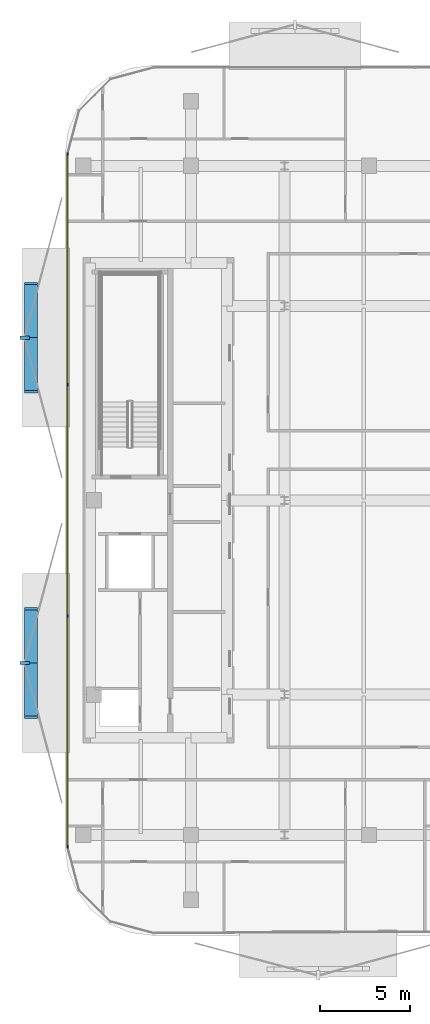
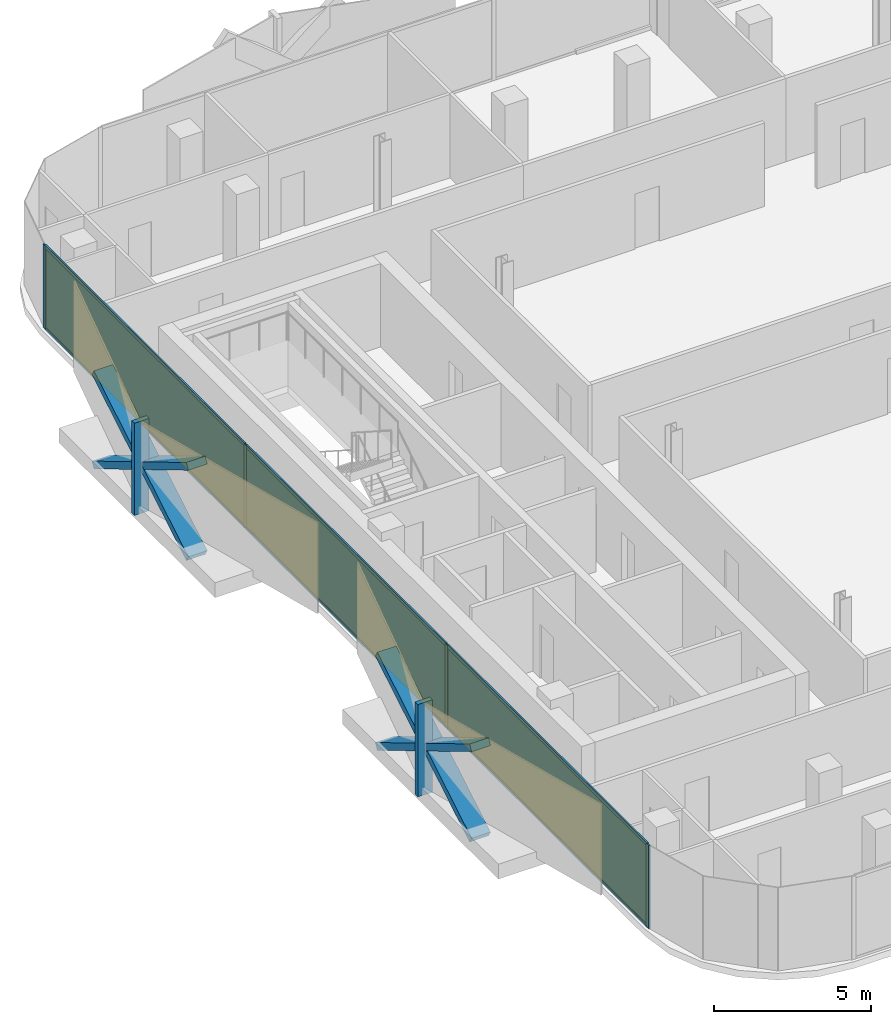
# One storey, part 8 of 15: 16 members, 3 plates, 1 curtain wall.
"""IFC4 building model written with IfcOpenShell, lengths in metres."""

from ifc_helpers import new_model, si_unit, direction, frame, frame_2d, origin, origin_2d, place, context, subcontext, project, spatial, rectangle, extrude, material, layer, layer_set, material_profile, profile_set, type_object, element, aggregate, save


model = new_model("IFC4")

# Units and contexts
model_context = context("Model", 3, precision=1e-05, world=origin(), true_north=direction((0.0, 1.0)))
body_context = subcontext(model_context, "Body", "Model", "MODEL_VIEW")
ifc_project = project(units=[si_unit("LENGTHUNIT", "METRE"), si_unit("AREAUNIT", "SQUARE_METRE"), si_unit("VOLUMEUNIT", "CUBIC_METRE"), si_unit("PLANEANGLEUNIT", "RADIAN"), si_unit("MASSUNIT", "GRAM", prefix="KILO")], contexts=[model_context])

# Member
ifc_material_1 = material(Name="Anodised Bronze Aluminium 6063-T6", Category="aluminium")
ifc_material_profile_1 = material_profile(ifc_material_1, rectangle(XDim=0.260009765625, YDim=0.699951171875, at=origin_2d()))
ifc_profile_set_1 = profile_set([ifc_material_profile_1], Name="Anodised Bronze Aluminium 6063-T6")
member_type_1 = type_object("IfcMemberType", Name="Bronze Diamond Solar-Screen Lattice Rib BDL-700", PredefinedType="MULLION", material=ifc_profile_set_1)
site_placement = place(None, origin())
building_placement = place(site_placement, origin())
storey_placement = place(building_placement, frame((0.0, 0.0, 269.199951171875)))
member_1_placement = place(storey_placement, frame((-23.300048828125, -12.060546875, -0.1298828125), z_axis=(0.0, 0.858641022274, 0.512577403783), x_axis=(0.0, -0.512577403783, 0.858641022274)))
member_1 = element("IfcMember", 1, at=member_1_placement, type_object=member_type_1, Name="L64 Bronze Diamond Solar Screen Lattice Rib 443A", PredefinedType="MULLION", context=body_context, shape_type="SweptSolid", body=[
    extrude(rectangle(XDim=0.260009765625, YDim=0.699951171875, at=origin_2d()), origin(), (0.0, 0.0, 1.0), 7.02294921875),
])

member_2_placement = place(storey_placement, frame((-23.300048828125, -6.0302734375, -0.1298828125), z_axis=(0.0, -0.858641022274, 0.512577403783), x_axis=(0.0, 0.512577403783, 0.858641022274)))
member_2 = element("IfcMember", 2, at=member_2_placement, type_object=member_type_1, Name="L64 Bronze Diamond Solar Screen Lattice Rib 443B", PredefinedType="MULLION", context=body_context, shape_type="SweptSolid", body=[
    extrude(rectangle(XDim=0.260009765625, YDim=0.699951171875, at=origin_2d()), origin(), (0.0, 0.0, 1.0), 7.02294921875),
])

member_3_placement = place(storey_placement, frame((-23.300048828125, 6.0302734375, -0.1298828125), z_axis=(0.0, 0.858641022274, 0.512577403783), x_axis=(0.0, -0.512577403783, 0.858641022274)))
member_3 = element("IfcMember", 3, at=member_3_placement, type_object=member_type_1, Name="L64 Bronze Diamond Solar Screen Lattice Rib 444A", PredefinedType="MULLION", context=body_context, shape_type="SweptSolid", body=[
    extrude(rectangle(XDim=0.260009765625, YDim=0.699951171875, at=origin_2d()), origin(), (0.0, 0.0, 1.0), 7.02294921875),
])

member_4_placement = place(storey_placement, frame((-23.300048828125, 12.060546875, -0.1298828125), z_axis=(0.0, -0.858641022274, 0.512577403783), x_axis=(0.0, 0.512577403783, 0.858641022274)))
member_4 = element("IfcMember", 4, at=member_4_placement, type_object=member_type_1, Name="L64 Bronze Diamond Solar Screen Lattice Rib 444B", PredefinedType="MULLION", context=body_context, shape_type="SweptSolid", body=[
    extrude(rectangle(XDim=0.260009765625, YDim=0.699951171875, at=origin_2d()), origin(), (0.0, 0.0, 1.0), 7.02294921875),
])

ifc_material_2 = material(Name="Anodised Bronze Aluminium 6063-T6", Category="aluminium")
ifc_material_profile_2 = material_profile(ifc_material_2, rectangle(XDim=0.179931640625, YDim=0.5400390625, at=origin_2d()))
ifc_profile_set_2 = profile_set([ifc_material_profile_2], Name="Anodised Bronze Aluminium 6063-T6")
member_type_2 = type_object("IfcMemberType", Name="Bronze Solar-Screen Vertical Fold Fin BSF-540", PredefinedType="MULLION", material=ifc_profile_set_2)
member_5_placement = place(storey_placement, frame((-23.639892578125, -9.04541015625, -0.1298828125), z_axis=(0.0, 0.0, 1.0), x_axis=(0.0, 1.0, 0.0)))
member_5 = element("IfcMember", 5, at=member_5_placement, type_object=member_type_2, Name="L64 Bronze Solar Screen Vertical Fin 443", PredefinedType="MULLION", context=body_context, shape_type="SweptSolid", body=[
    extrude(rectangle(XDim=0.179931640625, YDim=0.5400390625, at=origin_2d()), origin(), (0.0, 0.0, 1.0), 3.599853515625),
])

member_6_placement = place(storey_placement, frame((-23.639892578125, 9.04541015625, -0.1298828125), z_axis=(0.0, 0.0, 1.0), x_axis=(0.0, 1.0, 0.0)))
member_6 = element("IfcMember", 6, at=member_6_placement, type_object=member_type_2, Name="L64 Bronze Solar Screen Vertical Fin 444", PredefinedType="MULLION", context=body_context, shape_type="SweptSolid", body=[
    extrude(rectangle(XDim=0.179931640625, YDim=0.5400390625, at=origin_2d()), origin(), (0.0, 0.0, 1.0), 3.599853515625),
])

ifc_material_3 = material(Name="Anodised Bronze Aluminium 6063-T6", Category="aluminium")
ifc_material_profile_3 = material_profile(ifc_material_3, rectangle(XDim=0.06005859375, YDim=0.159912109375, at=origin_2d()))
ifc_profile_set_3 = profile_set([ifc_material_profile_3], Name="Anodised Bronze Aluminium 6063-T6")
member_type_3 = type_object("IfcMemberType", Name="CW-Z4 Mullion 60x160", PredefinedType="MULLION", material=ifc_profile_set_3)
member_7_placement = place(storey_placement, frame((-21.260009765625, -19.2607421875, 0.0), z_axis=(0.0, 0.0, 1.0), x_axis=(-1.0, 0.0, 0.0)))
member_7 = element("IfcMember", 7, at=member_7_placement, type_object=member_type_3, Name="CW-Z4 mullion 1", PredefinedType="MULLION", context=body_context, shape_type="SweptSolid", body=[
    extrude(rectangle(XDim=0.06005859375, YDim=0.159912109375, at=origin_2d()), origin(), (0.0, 0.0, 1.0), 3.25),
])

member_8_placement = place(storey_placement, frame((-21.260009765625, -6.43017578125, 0.0), z_axis=(0.0, 0.0, 1.0), x_axis=(-1.0, 0.0, 0.0)))
member_8 = element("IfcMember", 8, at=member_8_placement, type_object=member_type_3, Name="CW-Z4 mullion 2", PredefinedType="MULLION", context=body_context, shape_type="SweptSolid", body=[
    extrude(rectangle(XDim=0.06005859375, YDim=0.159912109375, at=origin_2d()), origin(), (0.0, 0.0, 1.0), 3.25),
])

member_9_placement = place(storey_placement, frame((-21.260009765625, 6.43017578125, 0.0), z_axis=(0.0, 0.0, 1.0), x_axis=(-1.0, 0.0, 0.0)))
member_9 = element("IfcMember", 9, at=member_9_placement, type_object=member_type_3, Name="CW-Z4 mullion 3", PredefinedType="MULLION", context=body_context, shape_type="SweptSolid", body=[
    extrude(rectangle(XDim=0.06005859375, YDim=0.159912109375, at=origin_2d()), origin(), (0.0, 0.0, 1.0), 3.25),
])

member_10_placement = place(storey_placement, frame((-21.260009765625, 19.2607421875, 0.0), z_axis=(0.0, 0.0, 1.0), x_axis=(-1.0, 0.0, 0.0)))
member_10 = element("IfcMember", 10, at=member_10_placement, type_object=member_type_3, Name="CW-Z4 mullion 4", PredefinedType="MULLION", context=body_context, shape_type="SweptSolid", body=[
    extrude(rectangle(XDim=0.06005859375, YDim=0.159912109375, at=origin_2d()), origin(), (0.0, 0.0, 1.0), 3.25),
])

ifc_material_4 = material(Name="Anodised Bronze Aluminium 6063-T6", Category="aluminium")
ifc_material_profile_4 = material_profile(ifc_material_4, rectangle(XDim=0.06005859375, YDim=0.125, at=origin_2d()))
ifc_profile_set_4 = profile_set([ifc_material_profile_4], Name="Anodised Bronze Aluminium 6063-T6")
member_type_4 = type_object("IfcMemberType", Name="CW-Z4 Transom 60x125", PredefinedType="USERDEFINED", material=ifc_profile_set_4)
member_11_placement = place(storey_placement, frame((-21.260009765625, -19.230712890625, 0.030029296875), z_axis=(0.0, 1.0, 0.0), x_axis=(-1.0, 0.0, 0.0)))
member_11 = element("IfcMember", 11, at=member_11_placement, type_object=member_type_4, Name="CW-Z4 transom 1.1", ObjectType="TRANSOM", PredefinedType="USERDEFINED", context=body_context, shape_type="SweptSolid", body=[
    extrude(rectangle(XDim=0.06005859375, YDim=0.125, at=origin_2d()), origin(), (0.0, 0.0, 1.0), 12.7705078125),
])

member_12_placement = place(storey_placement, frame((-21.260009765625, -19.230712890625, 3.219970703125), z_axis=(0.0, 1.0, 0.0), x_axis=(-1.0, 0.0, 0.0)))
member_12 = element("IfcMember", 12, at=member_12_placement, type_object=member_type_4, Name="CW-Z4 transom 1.2", ObjectType="TRANSOM", PredefinedType="USERDEFINED", context=body_context, shape_type="SweptSolid", body=[
    extrude(rectangle(XDim=0.06005859375, YDim=0.125, at=origin_2d()), origin(), (0.0, 0.0, 1.0), 12.7705078125),
])

member_13_placement = place(storey_placement, frame((-21.260009765625, -6.400146484375, 0.030029296875), z_axis=(0.0, 1.0, 0.0), x_axis=(-1.0, 0.0, 0.0)))
member_13 = element("IfcMember", 13, at=member_13_placement, type_object=member_type_4, Name="CW-Z4 transom 2.1", ObjectType="TRANSOM", PredefinedType="USERDEFINED", context=body_context, shape_type="SweptSolid", body=[
    extrude(rectangle(XDim=0.06005859375, YDim=0.125, at=origin_2d()), origin(), (0.0, 0.0, 1.0), 12.80029296875),
])

member_14_placement = place(storey_placement, frame((-21.260009765625, -6.400146484375, 3.219970703125), z_axis=(0.0, 1.0, 0.0), x_axis=(-1.0, 0.0, 0.0)))
member_14 = element("IfcMember", 14, at=member_14_placement, type_object=member_type_4, Name="CW-Z4 transom 2.2", ObjectType="TRANSOM", PredefinedType="USERDEFINED", context=body_context, shape_type="SweptSolid", body=[
    extrude(rectangle(XDim=0.06005859375, YDim=0.125, at=origin_2d()), origin(), (0.0, 0.0, 1.0), 12.80029296875),
])

member_15_placement = place(storey_placement, frame((-21.260009765625, 6.460205078125, 0.030029296875), z_axis=(0.0, 1.0, 0.0), x_axis=(-1.0, 0.0, 0.0)))
member_15 = element("IfcMember", 15, at=member_15_placement, type_object=member_type_4, Name="CW-Z4 transom 3.1", ObjectType="TRANSOM", PredefinedType="USERDEFINED", context=body_context, shape_type="SweptSolid", body=[
    extrude(rectangle(XDim=0.06005859375, YDim=0.125, at=origin_2d()), origin(), (0.0, 0.0, 1.0), 12.7705078125),
])

member_16_placement = place(storey_placement, frame((-21.260009765625, 6.460205078125, 3.219970703125), z_axis=(0.0, 1.0, 0.0), x_axis=(-1.0, 0.0, 0.0)))
member_16 = element("IfcMember", 16, at=member_16_placement, type_object=member_type_4, Name="CW-Z4 transom 3.2", ObjectType="TRANSOM", PredefinedType="USERDEFINED", context=body_context, shape_type="SweptSolid", body=[
    extrude(rectangle(XDim=0.06005859375, YDim=0.125, at=origin_2d()), origin(), (0.0, 0.0, 1.0), 12.7705078125),
])

# Plate
ifc_material_5 = material(Name="Low-E Solar Control Laminated Glass", Category="glass")
ifc_layer_1 = layer(ifc_material_5, 0.030029296875, Name="Low-E Solar Control Laminated Glass")
ifc_layer_set_1 = layer_set([ifc_layer_1], Name="Low-E Solar Control Laminated Glass")
plate_type = type_object("IfcPlateType", Name="CW-Z4 Low-E Double Glazed Panel 30mm", PredefinedType="CURTAIN_PANEL", material=ifc_layer_set_1)
plate_1_placement = place(storey_placement, frame((-21.260009765625, -12.845458984375, 0.06005859375), z_axis=(0.0, 0.0, 1.0), x_axis=(0.0, 1.0, 0.0)))
plate_1 = element("IfcPlate", 17, at=plate_1_placement, type_object=plate_type, Name="CW-Z4 panel 1.1", PredefinedType="CURTAIN_PANEL", context=body_context, shape_type="SweptSolid", body=[
    extrude(rectangle(XDim=12.7705078125, YDim=0.030029296875, at=origin_2d()), origin(), (0.0, 0.0, 1.0), 3.1298828125),
])

plate_2_placement = place(storey_placement, frame((-21.260009765625, 0.0, 0.06005859375), z_axis=(0.0, 0.0, 1.0), x_axis=(0.0, 1.0, 0.0)))
plate_2 = element("IfcPlate", 18, at=plate_2_placement, type_object=plate_type, Name="CW-Z4 panel 2.1", PredefinedType="CURTAIN_PANEL", context=body_context, shape_type="SweptSolid", body=[
    extrude(rectangle(XDim=12.800537109375, YDim=0.030029296875, at=origin_2d()), origin(), (0.0, 0.0, 1.0), 3.1298828125),
])

plate_3_placement = place(storey_placement, frame((-21.260009765625, 12.845458984375, 0.06005859375), z_axis=(0.0, 0.0, 1.0), x_axis=(0.0, 1.0, 0.0)))
plate_3 = element("IfcPlate", 19, at=plate_3_placement, type_object=plate_type, Name="CW-Z4 panel 3.1", PredefinedType="CURTAIN_PANEL", context=body_context, shape_type="SweptSolid", body=[
    extrude(rectangle(XDim=12.7705078125, YDim=0.030029296875, at=origin_2d()), origin(), (0.0, 0.0, 1.0), 3.1298828125),
])

# Site, building, storey
site = spatial("IfcSite", under=ifc_project, at=site_placement, CompositionType="ELEMENT")
building = spatial("IfcBuilding", under=site, at=building_placement, Name="Khairoan Windgate Tower", CompositionType="ELEMENT")
storey = spatial("IfcBuildingStorey", under=building, at=storey_placement, Name="L64", CompositionType="ELEMENT", Elevation=269.199951171875)

# Curtain wall
ifc_material_6 = material(Name="Anodised Bronze Aluminium 6063-T6", Category="aluminium")
ifc_layer_2 = layer(ifc_material_6, 0.159912109375, Name="Anodised Bronze Aluminium 6063-T6")
ifc_layer_set_2 = layer_set([ifc_layer_2], Name="Anodised Bronze Aluminium 6063-T6")
curtain_wall_type = type_object("IfcCurtainWallType", Name="Sky Residence Unitised Curtain Wall CW-Z4", PredefinedType="NOTDEFINED", material=ifc_layer_set_2)
curtain_wall_placement = place(storey_placement, frame((-21.260009765625, -19.290771484375, 0.0), z_axis=(0.0, 0.0, 1.0), x_axis=(0.0, 1.0, 0.0)))
curtain_wall = element("IfcCurtainWall", 20, at=curtain_wall_placement, inside=storey, type_object=curtain_wall_type, Name="L64 Unitised Curtain Wall 5", PredefinedType="NOTDEFINED", context=body_context, shape_type="SweptSolid", body=[
    extrude(rectangle(XDim=38.58154296875, YDim=0.010009765625, at=frame_2d((19.290771484375, 0.0))), origin(), (0.0, 0.0, 1.0), 3.25),
])

aggregate(curtain_wall, [member_7, member_8, member_9, member_10, member_11, member_12, plate_1, member_13, member_14, plate_2, member_15, member_16, plate_3, member_1, member_2, member_5, member_3, member_4, member_6])

save(model, "model.ifc")
